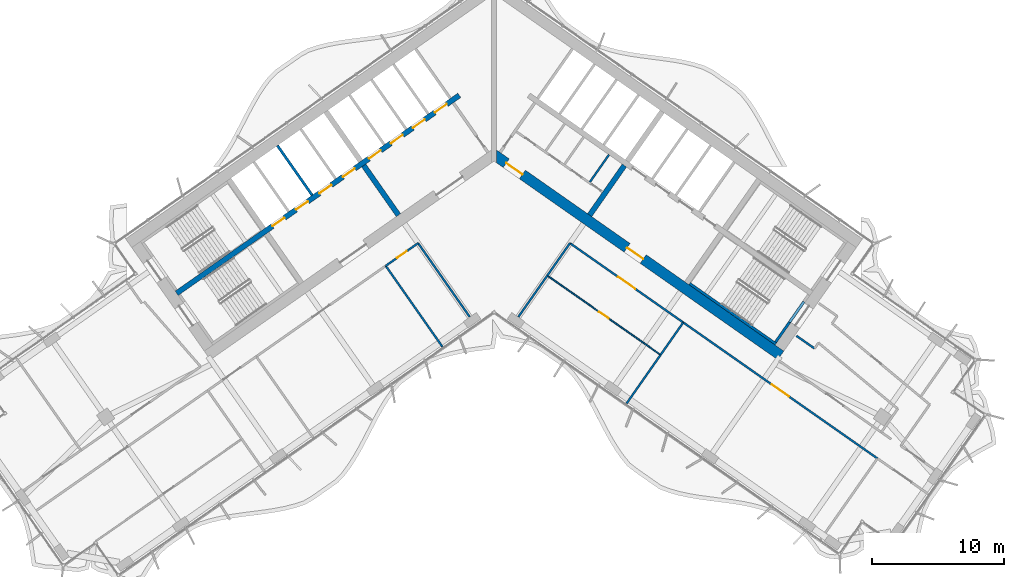
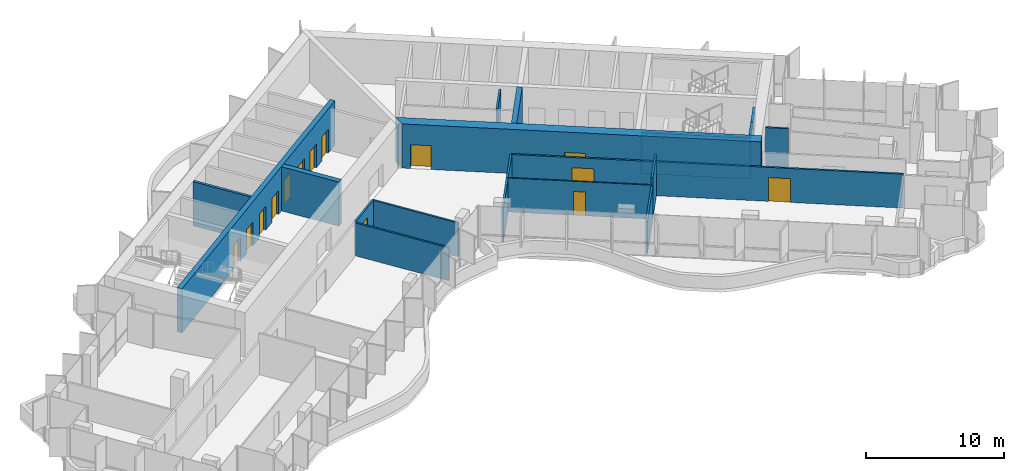
# One storey, part 13 of 21: 20 walls, 14 doors, 14 openings.
"""IFC4 building model written with IfcOpenShell, lengths in metres."""

from ifc_helpers import new_model, si_unit, direction, frame, frame_2d, origin, place, context, subcontext, project, spatial, polyline, rectangle, outline, extrude, material, layer, layer_set, type_object, element, fill, save


model = new_model("IFC4")

# Units and contexts
model_context = context("Model", 3, precision=1e-05, world=origin(), true_north=direction((0.0, 1.0)))
body_context = subcontext(model_context, "Body", "Model", "MODEL_VIEW")
ifc_project = project(units=[si_unit("LENGTHUNIT", "METRE"), si_unit("AREAUNIT", "SQUARE_METRE"), si_unit("VOLUMEUNIT", "CUBIC_METRE"), si_unit("PLANEANGLEUNIT", "RADIAN"), si_unit("MASSUNIT", "GRAM", prefix="KILO")], contexts=[model_context])

# Site, building, storey
site_placement = place(None, origin())
site = spatial("IfcSite", under=ifc_project, at=site_placement, CompositionType="ELEMENT")
building_placement = place(site_placement, origin())
building = spatial("IfcBuilding", under=site, at=building_placement, Name="Tel Ilan Convention Tower", CompositionType="ELEMENT")
storey_placement = place(building_placement, frame((0.0, 0.0, 155.39990234375)))
storey = spatial("IfcBuildingStorey", under=building, at=storey_placement, Name="L35", CompositionType="ELEMENT", Elevation=155.39990234375)

# Walls
ifc_material_1 = material(Name="Gypsum Plasterboard on Steel Stud", Category="steel")
ifc_layer_1 = layer(ifc_material_1, 0.14990234375)
ifc_layer_set_1 = layer_set([ifc_layer_1], Name="Core Room Partition Wall 150 mm EI 60")
wall_type_1 = type_object("IfcWallType", Name="Core Room Partition Wall 150 mm EI 60", PredefinedType="PARTITIONING", material=ifc_layer_set_1)
wall_1_placement = place(storey_placement, frame((7.280517578125, -2.808837890625, 0.0), z_axis=(0.0, 0.0, 1.0), x_axis=(0.573566168143, 0.81915923407, 0.0)))
element("IfcWall", 1, at=wall_1_placement, inside=storey, type_object=wall_type_1, Name="L35 core wall wc-v2", PredefinedType="PARTITIONING", context=body_context, shape_type="SweptSolid", body=[
    extrude(rectangle(XDim=2.52490234375, YDim=0.14990234375, at=frame_2d((1.262451171875, 0.0))), origin(), (0.0, 0.0, 1.0), 3.6201171875),
])
ifc_material_2 = material(Name="Concrete C50/60", Category="concrete")
ifc_layer_2 = layer(ifc_material_2, 0.39990234375)
ifc_layer_set_2 = layer_set([ifc_layer_2], Name="Core Shear Wall 400 mm C50/60")
wall_type_2 = type_object("IfcWallType", Name="Core Shear Wall 400 mm C50/60", PredefinedType="SHEAR", material=ifc_layer_set_2)
wall_2_placement = place(storey_placement, frame((-7.2578125, -5.325927734375, 0.0), z_axis=(0.0, 0.0, 1.0), x_axis=(-0.573540709186, 0.819177059558, 0.0)))
element("IfcWall", 2, at=wall_2_placement, inside=storey, type_object=wall_type_2, Name="L35 core wall W-cross1-1", PredefinedType="SHEAR", context=body_context, shape_type="SweptSolid", body=[
    extrude(outline(polyline([(4.599853515625, 0.2001953125), (-0.000244140625, 0.199951171875), (-0.000244140625, -0.2001953125), (4.599853515625, -0.199951171875), (4.599853515625, 0.2001953125)])), origin(), (0.0, 0.0, 1.0), 3.900146484375),
])

# Wall, openings, doors
wall_3_placement = place(storey_placement, frame((-2.638427734375, 3.76806640625, 0.0), z_axis=(0.0, 0.0, 1.0), x_axis=(-0.81915267502, -0.573575535572, 0.0)))
wall_3 = element("IfcWall", 3, at=wall_3_placement, inside=storey, type_object=wall_type_2, Name="L35 core wall W-spine", PredefinedType="SHEAR", context=body_context, shape_type="SweptSolid", body=[
    extrude(outline(polyline([(26.199951171875, 0.199951171875), (0.0, 0.199951171875), (0.0, -0.199951171875), (26.199951171875, -0.199951171875), (26.199951171875, 0.199951171875)])), origin(), (0.0, 0.0, 1.0), 3.900146484375),
])
opening_1_placement = place(wall_3_placement, frame((1.168701171875, 0.0, 0.0)))
opening_1 = element("IfcOpeningElement", 4, at=opening_1_placement, cuts=wall_3, Name="Opening LD2704", PredefinedType="OPENING", context=body_context, shape_type="SweptSolid", body=[
    extrude(rectangle(XDim=1.10009765625, YDim=2.10009765625, at=frame_2d((0.550048828125, 1.050048828125))), frame((0.0, 0.2099609375, 0.0), z_axis=(0.0, -1.0, 0.0), x_axis=(1.0, 0.0, 0.0)), (0.0, 0.0, 1.0), 0.419921875),
])
opening_2_placement = place(wall_3_placement, frame((3.206298828125, 0.0, 0.0)))
opening_2 = element("IfcOpeningElement", 5, at=opening_2_placement, cuts=wall_3, Name="Opening LD2705", PredefinedType="OPENING", context=body_context, shape_type="SweptSolid", body=[
    extrude(rectangle(XDim=1.10009765625, YDim=2.10009765625, at=frame_2d((0.550048828125, 1.050048828125))), frame((0.0, 0.2099609375, 0.0), z_axis=(0.0, -1.0, 0.0), x_axis=(1.0, 0.0, 0.0)), (0.0, 0.0, 1.0), 0.419921875),
])
opening_3_placement = place(wall_3_placement, frame((5.24365234375, 0.0, 0.0)))
opening_3 = element("IfcOpeningElement", 6, at=opening_3_placement, cuts=wall_3, Name="Opening LD2706", PredefinedType="OPENING", context=body_context, shape_type="SweptSolid", body=[
    extrude(rectangle(XDim=1.10009765625, YDim=2.10009765625, at=frame_2d((0.550048828125, 1.050048828125))), frame((0.0, 0.2099609375, 0.0), z_axis=(0.0, -1.0, 0.0), x_axis=(1.0, 0.0, 0.0)), (0.0, 0.0, 1.0), 0.419921875),
])
opening_4_placement = place(wall_3_placement, frame((7.28125, 0.0, 0.0)))
opening_4 = element("IfcOpeningElement", 7, at=opening_4_placement, cuts=wall_3, Name="Opening LD2707", PredefinedType="OPENING", context=body_context, shape_type="SweptSolid", body=[
    extrude(rectangle(XDim=1.10009765625, YDim=2.10009765625, at=frame_2d((0.550048828125, 1.050048828125))), frame((0.0, 0.2099609375, 0.0), z_axis=(0.0, -1.0, 0.0), x_axis=(1.0, 0.0, 0.0)), (0.0, 0.0, 1.0), 0.419921875),
])
opening_5_placement = place(wall_3_placement, frame((9.6875, 0.0, 0.0)))
opening_5 = element("IfcOpeningElement", 8, at=opening_5_placement, cuts=wall_3, Name="Opening LD2708", PredefinedType="OPENING", context=body_context, shape_type="SweptSolid", body=[
    extrude(rectangle(XDim=1.10009765625, YDim=2.10009765625, at=frame_2d((0.550048828125, 1.050048828125))), frame((0.0, 0.2099609375, 0.0), z_axis=(0.0, -1.0, 0.0), x_axis=(1.0, 0.0, 0.0)), (0.0, 0.0, 1.0), 0.419921875),
])
opening_6_placement = place(wall_3_placement, frame((11.862548828125, 0.0, 0.0)))
opening_6 = element("IfcOpeningElement", 9, at=opening_6_placement, cuts=wall_3, Name="Opening LD2709", PredefinedType="OPENING", context=body_context, shape_type="SweptSolid", body=[
    extrude(rectangle(XDim=1.10009765625, YDim=2.10009765625, at=frame_2d((0.550048828125, 1.050048828125))), frame((0.0, 0.2099609375, 0.0), z_axis=(0.0, -1.0, 0.0), x_axis=(1.0, 0.0, 0.0)), (0.0, 0.0, 1.0), 0.419921875),
])
opening_7_placement = place(wall_3_placement, frame((14.03759765625, 0.0, 0.0)))
opening_7 = element("IfcOpeningElement", 10, at=opening_7_placement, cuts=wall_3, Name="Opening LD2710", PredefinedType="OPENING", context=body_context, shape_type="SweptSolid", body=[
    extrude(rectangle(XDim=1.10009765625, YDim=2.10009765625, at=frame_2d((0.550048828125, 1.050048828125))), frame((0.0, 0.2099609375, 0.0), z_axis=(0.0, -1.0, 0.0), x_axis=(1.0, 0.0, 0.0)), (0.0, 0.0, 1.0), 0.419921875),
])
opening_8_placement = place(wall_3_placement, frame((16.21240234375, 0.0, 0.0)))
opening_8 = element("IfcOpeningElement", 11, at=opening_8_placement, cuts=wall_3, Name="Opening LD2711", PredefinedType="OPENING", context=body_context, shape_type="SweptSolid", body=[
    extrude(rectangle(XDim=1.10009765625, YDim=2.10009765625, at=frame_2d((0.550048828125, 1.050048828125))), frame((0.0, 0.2099609375, 0.0), z_axis=(0.0, -1.0, 0.0), x_axis=(1.0, 0.0, 0.0)), (0.0, 0.0, 1.0), 0.419921875),
])
ifc_material_3 = material(Name="Stainless Steel Sliding Door Leaf", Category="steel")
door_type_1 = type_object("IfcDoorType", Name="Lift Landing Door 1100 x 2100 FD120", OperationType="NOTDEFINED", PredefinedType="DOOR", material=ifc_material_3)
door_1_placement = place(opening_1_placement, origin())
door_1 = element("IfcDoor", 12, at=door_1_placement, inside=storey, type_object=door_type_1, Name="Lift LR1 landing door", OperationType="SLIDING_TO_LEFT", OverallHeight=2.10009765625, OverallWidth=1.10009765625, PredefinedType="DOOR", context=body_context, shape_type="SweptSolid", body=[
    extrude(rectangle(XDim=1.10009765625, YDim=2.10009765625, at=frame_2d((0.550048828125, 1.050048828125))), frame((0.0, 0.02490234375, 0.0), z_axis=(0.0, -1.0, 0.0), x_axis=(1.0, 0.0, 0.0)), (0.0, 0.0, 1.0), 0.050048828125),
])
fill(opening_1, door_1)
door_2_placement = place(opening_2_placement, origin())
door_2 = element("IfcDoor", 13, at=door_2_placement, inside=storey, type_object=door_type_1, Name="Lift LR2 landing door", OperationType="SLIDING_TO_RIGHT", OverallHeight=2.10009765625, OverallWidth=1.10009765625, PredefinedType="DOOR", context=body_context, shape_type="SweptSolid", body=[
    extrude(rectangle(XDim=1.10009765625, YDim=2.10009765625, at=frame_2d((0.550048828125, 1.050048828125))), frame((0.0, 0.02490234375, 0.0), z_axis=(0.0, -1.0, 0.0), x_axis=(1.0, 0.0, 0.0)), (0.0, 0.0, 1.0), 0.050048828125),
])
fill(opening_2, door_2)
door_3_placement = place(opening_3_placement, origin())
door_3 = element("IfcDoor", 14, at=door_3_placement, inside=storey, type_object=door_type_1, Name="Lift LR3 landing door", OperationType="SLIDING_TO_LEFT", OverallHeight=2.10009765625, OverallWidth=1.10009765625, PredefinedType="DOOR", context=body_context, shape_type="SweptSolid", body=[
    extrude(rectangle(XDim=1.10009765625, YDim=2.10009765625, at=frame_2d((0.550048828125, 1.050048828125))), frame((0.0, 0.02490234375, 0.0), z_axis=(0.0, -1.0, 0.0), x_axis=(1.0, 0.0, 0.0)), (0.0, 0.0, 1.0), 0.050048828125),
])
fill(opening_3, door_3)
door_4_placement = place(opening_4_placement, origin())
door_4 = element("IfcDoor", 15, at=door_4_placement, inside=storey, type_object=door_type_1, Name="Lift LR4 landing door", OperationType="SLIDING_TO_RIGHT", OverallHeight=2.10009765625, OverallWidth=1.10009765625, PredefinedType="DOOR", context=body_context, shape_type="SweptSolid", body=[
    extrude(rectangle(XDim=1.10009765625, YDim=2.10009765625, at=frame_2d((0.550048828125, 1.050048828125))), frame((0.0, 0.02490234375, 0.0), z_axis=(0.0, -1.0, 0.0), x_axis=(1.0, 0.0, 0.0)), (0.0, 0.0, 1.0), 0.050048828125),
])
fill(opening_4, door_4)
door_5_placement = place(opening_5_placement, origin())
door_5 = element("IfcDoor", 16, at=door_5_placement, inside=storey, type_object=door_type_1, Name="Lift LR5 landing door", OperationType="SLIDING_TO_LEFT", OverallHeight=2.10009765625, OverallWidth=1.10009765625, PredefinedType="DOOR", context=body_context, shape_type="SweptSolid", body=[
    extrude(rectangle(XDim=1.10009765625, YDim=2.10009765625, at=frame_2d((0.550048828125, 1.050048828125))), frame((0.0, 0.02490234375, 0.0), z_axis=(0.0, -1.0, 0.0), x_axis=(1.0, 0.0, 0.0)), (0.0, 0.0, 1.0), 0.050048828125),
])
fill(opening_5, door_5)
door_6_placement = place(opening_6_placement, origin())
door_6 = element("IfcDoor", 17, at=door_6_placement, inside=storey, type_object=door_type_1, Name="Lift LR6 landing door", OperationType="SLIDING_TO_RIGHT", OverallHeight=2.10009765625, OverallWidth=1.10009765625, PredefinedType="DOOR", context=body_context, shape_type="SweptSolid", body=[
    extrude(rectangle(XDim=1.10009765625, YDim=2.10009765625, at=frame_2d((0.550048828125, 1.050048828125))), frame((0.0, 0.02490234375, 0.0), z_axis=(0.0, -1.0, 0.0), x_axis=(1.0, 0.0, 0.0)), (0.0, 0.0, 1.0), 0.050048828125),
])
fill(opening_6, door_6)
door_7_placement = place(opening_7_placement, origin())
door_7 = element("IfcDoor", 18, at=door_7_placement, inside=storey, type_object=door_type_1, Name="Lift LR7 landing door", OperationType="SLIDING_TO_LEFT", OverallHeight=2.10009765625, OverallWidth=1.10009765625, PredefinedType="DOOR", context=body_context, shape_type="SweptSolid", body=[
    extrude(rectangle(XDim=1.10009765625, YDim=2.10009765625, at=frame_2d((0.550048828125, 1.050048828125))), frame((0.0, 0.02490234375, 0.0), z_axis=(0.0, -1.0, 0.0), x_axis=(1.0, 0.0, 0.0)), (0.0, 0.0, 1.0), 0.050048828125),
])
fill(opening_7, door_7)
door_8_placement = place(opening_8_placement, origin())
door_8 = element("IfcDoor", 19, at=door_8_placement, inside=storey, type_object=door_type_1, Name="Lift LR8 landing door", OperationType="SLIDING_TO_RIGHT", OverallHeight=2.10009765625, OverallWidth=1.10009765625, PredefinedType="DOOR", context=body_context, shape_type="SweptSolid", body=[
    extrude(rectangle(XDim=1.10009765625, YDim=2.10009765625, at=frame_2d((0.550048828125, 1.050048828125))), frame((0.0, 0.02490234375, 0.0), z_axis=(0.0, -1.0, 0.0), x_axis=(1.0, 0.0, 0.0)), (0.0, 0.0, 1.0), 0.050048828125),
])
fill(opening_8, door_8)

# Wall
wall_4_placement = place(storey_placement, frame((7.2578125, -5.325927734375, 0.0), z_axis=(0.0, 0.0, 1.0), x_axis=(0.573540709186, 0.819177059558, 0.0)))
element("IfcWall", 20, at=wall_4_placement, inside=storey, type_object=wall_type_2, Name="L35 core wall E-cross1-1", PredefinedType="SHEAR", context=body_context, shape_type="SweptSolid", body=[
    extrude(outline(polyline([(-0.000244140625, 0.2001953125), (-0.000244140625, -0.199951171875), (4.599853515625, -0.2001953125), (4.599853515625, 0.199951171875), (-0.000244140625, 0.2001953125)])), origin(), (0.0, 0.0, 1.0), 3.900146484375),
])

# Wall, openings, doors
ifc_material_4 = material(Name="Concrete C50/60", Category="concrete")
ifc_layer_3 = layer(ifc_material_4, 0.800048828125)
ifc_layer_set_3 = layer_set([ifc_layer_3], Name="Core Shear Wall 800 mm C50/60")
wall_type_3 = type_object("IfcWallType", Name="Core Shear Wall 800 mm C50/60", PredefinedType="SHEAR", material=ifc_layer_set_3)
wall_5_placement = place(storey_placement, frame((-0.029296875, -0.7119140625, 0.0), z_axis=(0.0, 0.0, 1.0), x_axis=(0.819151758019, -0.573576845187, 0.0)))
wall_5 = element("IfcWall", 21, at=wall_5_placement, inside=storey, type_object=wall_type_3, Name="L35 core wall E-front", PredefinedType="SHEAR", context=body_context, shape_type="SweptSolid", body=[
    extrude(outline(polyline([(26.61572265625, 0.39990234375), (-0.000244140625, 0.39990234375), (0.56005859375, -0.39990234375), (26.61572265625, -0.39990234375), (26.61572265625, 0.39990234375)])), origin(), (0.0, 0.0, 1.0), 3.900146484375),
])
opening_9_placement = place(wall_5_placement, frame((1.165771484375, 0.0, 0.0)))
opening_9 = element("IfcOpeningElement", 22, at=opening_9_placement, cuts=wall_5, Name="Opening CD2703", PredefinedType="OPENING", context=body_context, shape_type="SweptSolid", body=[
    extrude(rectangle(XDim=1.5, YDim=2.10009765625, at=frame_2d((0.75, 1.050048828125))), frame((0.0, 0.409912109375, 0.0), z_axis=(0.0, -1.0, 0.0), x_axis=(1.0, 0.0, 0.0)), (0.0, 0.0, 1.0), 0.820068359375),
])
opening_10_placement = place(wall_5_placement, frame((12.36572265625, 0.0, 0.0)))
opening_10 = element("IfcOpeningElement", 23, at=opening_10_placement, cuts=wall_5, Name="Opening CD2704", PredefinedType="OPENING", context=body_context, shape_type="SweptSolid", body=[
    extrude(rectangle(XDim=1.5, YDim=2.10009765625, at=frame_2d((0.75, 1.050048828125))), frame((0.0, 0.409912109375, 0.0), z_axis=(0.0, -1.0, 0.0), x_axis=(1.0, 0.0, 0.0)), (0.0, 0.0, 1.0), 0.820068359375),
])
ifc_material_5 = material(Name="Glazed Aluminium Door Leaf", Category="aluminium")
door_type_2 = type_object("IfcDoorType", Name="Lobby Opening Door 1500 x 2100 FD60S", OperationType="NOTDEFINED", PredefinedType="DOOR", material=ifc_material_5)
door_9_placement = place(opening_10_placement, origin())
door_9 = element("IfcDoor", 24, at=door_9_placement, inside=storey, type_object=door_type_2, Name="Firefighting Lobby door", OperationType="DOUBLE_DOOR_SINGLE_SWING", OverallHeight=2.10009765625, OverallWidth=1.5, PredefinedType="DOOR", context=body_context, shape_type="SweptSolid", body=[
    extrude(rectangle(XDim=1.5, YDim=2.10009765625, at=frame_2d((0.75, 1.050048828125))), frame((0.0, 0.02490234375, 0.0), z_axis=(0.0, -1.0, 0.0), x_axis=(1.0, 0.0, 0.0)), (0.0, 0.0, 1.0), 0.050048828125),
])
fill(opening_10, door_9)
ifc_material_6 = material(Name="Laminated Timber Door Leaf", Category="wood")
door_type_3 = type_object("IfcDoorType", Name="Toilet Door 1500 x 2100 FD30S", OperationType="NOTDEFINED", PredefinedType="DOOR", material=ifc_material_6)
door_10_placement = place(opening_9_placement, origin())
door_10 = element("IfcDoor", 25, at=door_10_placement, inside=storey, type_object=door_type_3, Name="WC Lobby door", OperationType="SINGLE_SWING_RIGHT", OverallHeight=2.10009765625, OverallWidth=1.5, PredefinedType="DOOR", context=body_context, shape_type="SweptSolid", body=[
    extrude(rectangle(XDim=1.5, YDim=2.10009765625, at=frame_2d((0.75, 1.050048828125))), frame((0.0, 0.02490234375, 0.0), z_axis=(0.0, -1.0, 0.0), x_axis=(1.0, 0.0, 0.0)), (0.0, 0.0, 1.0), 0.050048828125),
])
fill(opening_9, door_10)

# Wall, opening, door
ifc_material_7 = material(Name="Plasterboard on Steel Studs", Category="steel")
ifc_layer_4 = layer(ifc_material_7, 0.14990234375)
ifc_layer_set_4 = layer_set([ifc_layer_4], Name="Fire-rated Partition 150 EI 60")
wall_type_4 = type_object("IfcWallType", Name="Fire-rated Partition 150 EI 60", PredefinedType="PARTITIONING", material=ifc_layer_set_4)
wall_6_placement = place(storey_placement, frame((14.369140625, -13.4794921875, 0.0), z_axis=(0.0, 0.0, 1.0), x_axis=(-0.819154371039, 0.573573113393, 0.0)))
wall_6 = element("IfcWall", 26, at=wall_6_placement, inside=storey, type_object=wall_type_4, Name="Partition 003", PredefinedType="PARTITIONING", context=body_context, shape_type="SweptSolid", body=[
    extrude(rectangle(XDim=10.501953125, YDim=0.14990234375, at=frame_2d((5.2509765625, 0.0))), origin(), (0.0, 0.0, 1.0), 3.0),
])
opening_11_placement = place(wall_6_placement, frame((4.450927734375, 0.0, 0.0)))
opening_11 = element("IfcOpeningElement", 27, at=opening_11_placement, cuts=wall_6, Name="Opening L33-008", PredefinedType="OPENING", context=body_context, shape_type="SweptSolid", body=[
    extrude(rectangle(XDim=1.60009765625, YDim=2.10009765625, at=frame_2d((0.800048828125, 1.050048828125))), frame((0.0, 0.0849609375, 0.0), z_axis=(0.0, -1.0, 0.0), x_axis=(1.0, 0.0, 0.0)), (0.0, 0.0, 1.0), 0.169921875),
])
ifc_material_8 = material(Name="Timber Door Leaf in Steel Frame", Category="steel")
door_type_4 = type_object("IfcDoorType", Name="Tenant Suite Entrance Fire Door 1600x2100", OperationType="NOTDEFINED", PredefinedType="DOOR", material=ifc_material_8)
door_11_placement = place(opening_11_placement, origin())
door_11 = element("IfcDoor", 28, at=door_11_placement, inside=storey, type_object=door_type_4, Name="Door L33-008", OperationType="DOUBLE_DOOR_SINGLE_SWING", OverallHeight=2.10009765625, OverallWidth=1.60009765625, PredefinedType="DOOR", context=body_context, shape_type="SweptSolid", body=[
    extrude(rectangle(XDim=1.60009765625, YDim=2.10009765625, at=frame_2d((0.800048828125, 1.050048828125))), frame((0.0, 0.02490234375, 0.0), z_axis=(0.0, -1.0, 0.0), x_axis=(1.0, 0.0, 0.0)), (0.0, 0.0, 1.0), 0.050048828125),
])
fill(opening_11, door_11)

wall_7_placement = place(storey_placement, frame((29.11376953125, -23.803955078125, 0.0), z_axis=(0.0, 0.0, 1.0), x_axis=(-0.81915291695, 0.57357519006, 0.0)))
wall_7 = element("IfcWall", 29, at=wall_7_placement, inside=storey, type_object=wall_type_4, Name="Partition 004", PredefinedType="PARTITIONING", context=body_context, shape_type="SweptSolid", body=[
    extrude(rectangle(XDim=18.00390625, YDim=0.14990234375, at=frame_2d((9.001953125, 0.0))), origin(), (0.0, 0.0, 1.0), 3.0),
])
opening_12_placement = place(wall_7_placement, frame((8.201904296875, 0.0, 0.0)))
opening_12 = element("IfcOpeningElement", 30, at=opening_12_placement, cuts=wall_7, Name="Opening L33-010", PredefinedType="OPENING", context=body_context, shape_type="SweptSolid", body=[
    extrude(rectangle(XDim=1.60009765625, YDim=2.10009765625, at=frame_2d((0.800048828125, 1.050048828125))), frame((0.0, 0.0849609375, 0.0), z_axis=(0.0, -1.0, 0.0), x_axis=(1.0, 0.0, 0.0)), (0.0, 0.0, 1.0), 0.169921875),
])
door_12_placement = place(opening_12_placement, origin())
door_12 = element("IfcDoor", 31, at=door_12_placement, inside=storey, type_object=door_type_4, Name="Door L33-010", OperationType="DOUBLE_DOOR_SINGLE_SWING", OverallHeight=2.10009765625, OverallWidth=1.60009765625, PredefinedType="DOOR", context=body_context, shape_type="SweptSolid", body=[
    extrude(rectangle(XDim=1.60009765625, YDim=2.10009765625, at=frame_2d((0.800048828125, 1.050048828125))), frame((0.0, 0.02490234375, 0.0), z_axis=(0.0, -1.0, 0.0), x_axis=(1.0, 0.0, 0.0)), (0.0, 0.0, 1.0), 0.050048828125),
])
fill(opening_12, door_12)

wall_8_placement = place(storey_placement, frame((-5.766357421875, -7.455810546875, 0.0), z_axis=(0.0, 0.0, 1.0), x_axis=(-0.819132568355, -0.573604249862, 0.0)))
wall_8 = element("IfcWall", 32, at=wall_8_placement, inside=storey, type_object=wall_type_4, Name="Partition 008", PredefinedType="PARTITIONING", context=body_context, shape_type="SweptSolid", body=[
    extrude(rectangle(XDim=3.001953125, YDim=0.14990234375, at=frame_2d((1.5009765625, 0.0))), origin(), (0.0, 0.0, 1.0), 3.0),
])
opening_13_placement = place(wall_8_placement, frame((1.051025390625, 0.0, 0.0)))
opening_13 = element("IfcOpeningElement", 33, at=opening_13_placement, cuts=wall_8, Name="Opening L33-001", PredefinedType="OPENING", context=body_context, shape_type="SweptSolid", body=[
    extrude(rectangle(XDim=0.89990234375, YDim=2.10009765625, at=frame_2d((0.449951171875, 1.050048828125))), frame((0.0, 0.0849609375, 0.0), z_axis=(0.0, -1.0, 0.0), x_axis=(1.0, 0.0, 0.0)), (0.0, 0.0, 1.0), 0.169921875),
])
ifc_material_9 = material(Name="Timber Door Leaf in Steel Frame", Category="steel")
door_type_5 = type_object("IfcDoorType", Name="Room Fire Door 900x2100", OperationType="NOTDEFINED", PredefinedType="DOOR", material=ifc_material_9)
door_13_placement = place(opening_13_placement, origin())
door_13 = element("IfcDoor", 34, at=door_13_placement, inside=storey, type_object=door_type_5, Name="Door L33-001", OperationType="SINGLE_SWING_RIGHT", OverallHeight=2.10009765625, OverallWidth=0.89990234375, PredefinedType="DOOR", context=body_context, shape_type="SweptSolid", body=[
    extrude(rectangle(XDim=0.89990234375, YDim=2.10009765625, at=frame_2d((0.449951171875, 1.050048828125))), frame((0.0, 0.02490234375, 0.0), z_axis=(0.0, -1.0, 0.0), x_axis=(1.0, 0.0, 0.0)), (0.0, 0.0, 1.0), 0.050048828125),
])
fill(opening_13, door_13)

# Walls
wall_9_placement = place(storey_placement, frame((22.961181640625, -14.490478515625, 0.0), z_axis=(0.0, 0.0, 1.0), x_axis=(0.819109000826, -0.573637903879, 0.0)))
element("IfcWall", 35, at=wall_9_placement, inside=storey, type_object=wall_type_4, Name="Partition 016", PredefinedType="PARTITIONING", context=body_context, shape_type="SweptSolid", body=[
    extrude(rectangle(XDim=1.679931640625, YDim=0.14990234375, at=frame_2d((0.83984375, 0.0))), origin(), (0.0, 0.0, 1.0), 3.6201171875),
])
wall_10_placement = place(storey_placement, frame((12.64599609375, -15.9365234375, 0.0), z_axis=(0.0, 0.0, 1.0), x_axis=(-0.573527897688, -0.819186029284, 0.0)))
element("IfcWall", 36, at=wall_10_placement, inside=storey, type_object=wall_type_4, Name="Partition 024", PredefinedType="PARTITIONING", context=body_context, shape_type="SweptSolid", body=[
    extrude(rectangle(XDim=4.4990234375, YDim=0.14990234375, at=frame_2d((2.24951171875, 0.0))), origin(), (0.0, 0.0, 1.0), 2.900146484375),
])
wall_11_placement = place(storey_placement, frame((1.848876953125, -13.050537109375, 0.0), z_axis=(0.0, 0.0, 1.0), x_axis=(0.573594994199, 0.819139049631, 0.0)))
element("IfcWall", 37, at=wall_11_placement, inside=storey, type_object=wall_type_4, Name="Partition 025", PredefinedType="PARTITIONING", context=body_context, shape_type="SweptSolid", body=[
    extrude(rectangle(XDim=3.8291015625, YDim=0.14990234375, at=frame_2d((1.91455078125, 0.0))), origin(), (0.0, 0.0, 1.0), 3.0),
])
wall_12_placement = place(storey_placement, frame((14.367431640625, -13.478515625, 0.0), z_axis=(0.0, 0.0, 1.0), x_axis=(-0.573598887793, -0.819136323161, 0.0)))
element("IfcWall", 38, at=wall_12_placement, inside=storey, type_object=wall_type_4, Name="Partition 026", PredefinedType="PARTITIONING", context=body_context, shape_type="SweptSolid", body=[
    extrude(rectangle(XDim=2.999755859375, YDim=0.14990234375, at=frame_2d((1.5, 0.0))), origin(), (0.0, 0.0, 1.0), 3.6201171875),
])
wall_13_placement = place(storey_placement, frame((4.045654296875, -9.913330078125, 0.0), z_axis=(0.0, 0.0, 1.0), x_axis=(0.573560650686, 0.819163097304, 0.0)))
element("IfcWall", 39, at=wall_13_placement, inside=storey, type_object=wall_type_4, Name="Partition 027", PredefinedType="PARTITIONING", context=body_context, shape_type="SweptSolid", body=[
    extrude(rectangle(XDim=3.0, YDim=0.14990234375, at=frame_2d((1.5, 0.0))), origin(), (0.0, 0.0, 1.0), 3.0),
])
wall_14_placement = place(storey_placement, frame((-1.848876953125, -13.050537109375, 0.0), z_axis=(0.0, 0.0, 1.0), x_axis=(-0.57357985571, 0.819149650018, 0.0)))
element("IfcWall", 40, at=wall_14_placement, inside=storey, type_object=wall_type_4, Name="Partition 029", PredefinedType="PARTITIONING", context=body_context, shape_type="SweptSolid", body=[
    extrude(rectangle(XDim=6.83203125, YDim=0.14990234375, at=frame_2d((3.416015625, 0.0))), origin(), (0.0, 0.0, 1.0), 3.0),
])
wall_15_placement = place(storey_placement, frame((-3.922119140625, -15.3203125, 0.0), z_axis=(0.0, 0.0, 1.0), x_axis=(-0.573560650686, 0.819163097304, 0.0)))
element("IfcWall", 41, at=wall_15_placement, inside=storey, type_object=wall_type_4, Name="Partition 033", PredefinedType="PARTITIONING", context=body_context, shape_type="SweptSolid", body=[
    extrude(rectangle(XDim=7.5, YDim=0.14990234375, at=frame_2d((3.75, 0.0))), origin(), (0.0, 0.0, 1.0), 2.900146484375),
])
ifc_material_10 = material(Name="Concrete C30/37", Category="concrete")
ifc_layer_5 = layer(ifc_material_10, 0.199951171875)
ifc_layer_set_5 = layer_set([ifc_layer_5], Name="Lift Shaft Wall 200 mm C30/37")
wall_type_5 = type_object("IfcWallType", Name="Lift Shaft Wall 200 mm C30/37", PredefinedType="SOLIDWALL", material=ifc_layer_set_5)
wall_16_placement = place(storey_placement, frame((-13.811767578125, -3.811279296875, 0.0), z_axis=(0.0, 0.0, 1.0), x_axis=(-0.573576324356, 0.819152122709, 0.0)))
element("IfcWall", 42, at=wall_16_placement, inside=storey, type_object=wall_type_5, Name="L35 core wall bank-W2-p1", PredefinedType="SOLIDWALL", context=body_context, shape_type="SweptSolid", body=[
    extrude(rectangle(XDim=4.599853515625, YDim=0.199951171875, at=frame_2d((2.2998046875, 0.0))), origin(), (0.0, 0.0, 1.0), 3.900146484375),
])

# Wall, opening, door
ifc_material_11 = material(Name="Plasterboard on Steel Studs", Category="steel")
ifc_layer_6 = layer(ifc_material_11, 0.10009765625)
ifc_layer_set_6 = layer_set([ifc_layer_6], Name="Plasterboard Partition 100")
wall_type_6 = type_object("IfcWallType", Name="Plasterboard Partition 100", PredefinedType="PARTITIONING", material=ifc_layer_set_6)
wall_17_placement = place(storey_placement, frame((12.64599609375, -15.9365234375, 0.0), z_axis=(0.0, 0.0, 1.0), x_axis=(-0.81914779845, 0.57358249999, 0.0)))
wall_17 = element("IfcWall", 43, at=wall_17_placement, inside=storey, type_object=wall_type_6, Name="Partition 023", PredefinedType="PARTITIONING", context=body_context, shape_type="SweptSolid", body=[
    extrude(rectangle(XDim=10.499755859375, YDim=0.10009765625, at=frame_2d((5.25, 0.0))), origin(), (0.0, 0.0, 1.0), 3.0),
])
opening_14_placement = place(wall_17_placement, frame((4.800048828125, 0.0, 0.0)))
opening_14 = element("IfcOpeningElement", 44, at=opening_14_placement, cuts=wall_17, Name="Opening L33-009", PredefinedType="OPENING", context=body_context, shape_type="SweptSolid", body=[
    extrude(rectangle(XDim=0.89990234375, YDim=2.10009765625, at=frame_2d((0.449951171875, 1.050048828125))), frame((0.0, 0.06005859375, 0.0), z_axis=(0.0, -1.0, 0.0), x_axis=(1.0, 0.0, 0.0)), (0.0, 0.0, 1.0), 0.1201171875),
])
ifc_material_12 = material(Name="Timber Door Leaf in Steel Frame", Category="steel")
door_type_6 = type_object("IfcDoorType", Name="Room Timber Door 900x2100", OperationType="NOTDEFINED", PredefinedType="DOOR", material=ifc_material_12)
door_14_placement = place(opening_14_placement, origin())
door_14 = element("IfcDoor", 45, at=door_14_placement, inside=storey, type_object=door_type_6, Name="Door L33-009", OperationType="SINGLE_SWING_RIGHT", OverallHeight=2.10009765625, OverallWidth=0.89990234375, PredefinedType="DOOR", context=body_context, shape_type="SweptSolid", body=[
    extrude(rectangle(XDim=0.89990234375, YDim=2.10009765625, at=frame_2d((0.449951171875, 1.050048828125))), frame((0.0, 0.02490234375, 0.0), z_axis=(0.0, -1.0, 0.0), x_axis=(1.0, 0.0, 0.0)), (0.0, 0.0, 1.0), 0.050048828125),
])
fill(opening_14, door_14)

# Walls
ifc_material_13 = material(Name="Concrete C30/37", Category="concrete")
ifc_layer_7 = layer(ifc_material_13, 0.199951171875)
ifc_layer_set_7 = layer_set([ifc_layer_7], Name="Stair and Shaft Lining Wall 200 mm C30/37")
wall_type_7 = type_object("IfcWallType", Name="Stair and Shaft Lining Wall 200 mm C30/37", PredefinedType="SOLIDWALL", material=ifc_layer_set_7)
wall_18_placement = place(storey_placement, frame((14.851318359375, -10.52099609375, 0.0), z_axis=(0.0, 0.0, 1.0), x_axis=(0.819141584393, -0.57359137434, 0.0)))
element("IfcWall", 46, at=wall_18_placement, inside=storey, type_object=wall_type_7, Name="L35 core wall lining-S4-t0", PredefinedType="SOLIDWALL", context=body_context, shape_type="SweptSolid", body=[
    extrude(rectangle(XDim=7.999755859375, YDim=0.199951171875, at=frame_2d((4.0, 0.0))), origin(), (0.0, 0.0, 1.0), 3.6201171875),
])
wall_19_placement = place(storey_placement, frame((21.3798828125, -14.97021484375, 0.0), z_axis=(0.0, 0.0, 1.0), x_axis=(0.573559770908, 0.819163713305, 0.0)))
element("IfcWall", 47, at=wall_19_placement, inside=storey, type_object=wall_type_7, Name="L35 core wall lining-S4-u1-0", PredefinedType="SOLIDWALL", context=body_context, shape_type="SweptSolid", body=[
    extrude(rectangle(XDim=1.849853515625, YDim=0.199951171875, at=frame_2d((0.9248046875, 0.0))), origin(), (0.0, 0.0, 1.0), 3.6201171875),
])
wall_20_placement = place(storey_placement, frame((22.44091796875, -13.454833984375, 2.150146484375), z_axis=(0.0, 0.0, 1.0), x_axis=(0.573591692345, 0.819141361715, 0.0)))
element("IfcWall", 48, at=wall_20_placement, inside=storey, type_object=wall_type_7, Name="L35 core wall lining-S4-u1-lintel", PredefinedType="SOLIDWALL", context=body_context, shape_type="SweptSolid", body=[
    extrude(rectangle(XDim=1.900146484375, YDim=0.199951171875, at=frame_2d((0.9501953125, 0.0))), origin(), (0.0, 0.0, 1.0), 1.469970703125),
])

save(model, "model.ifc")
